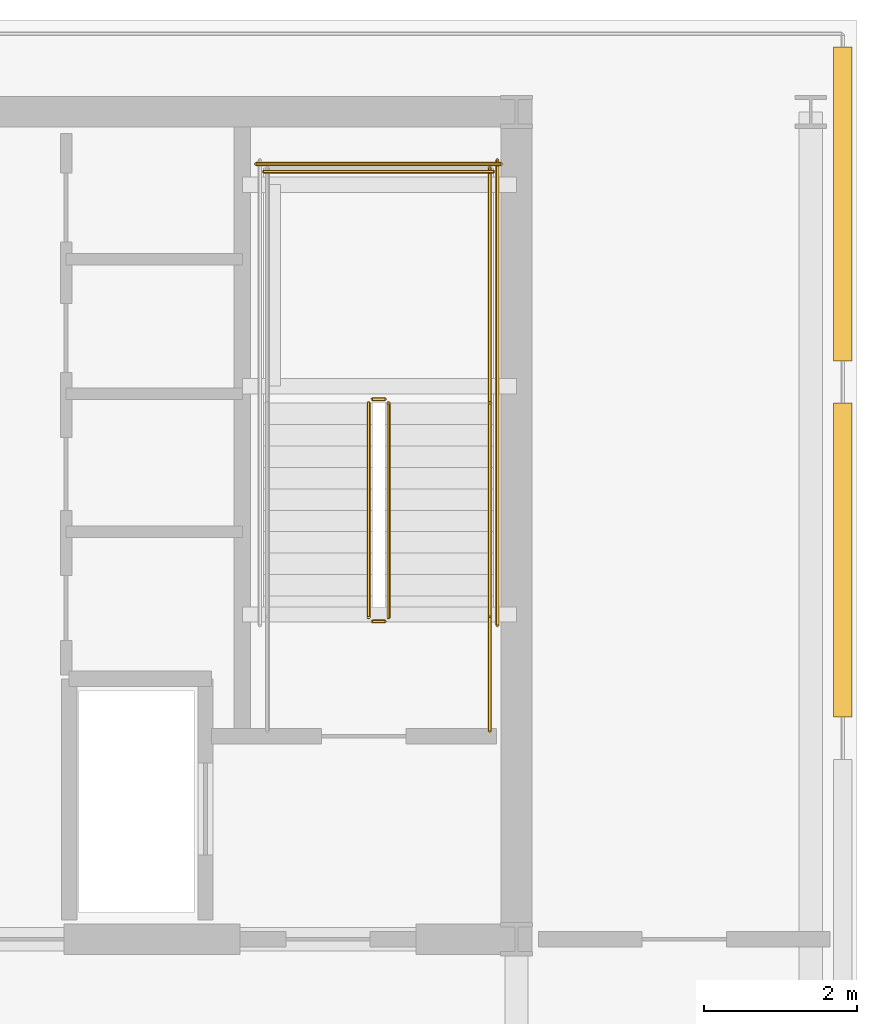
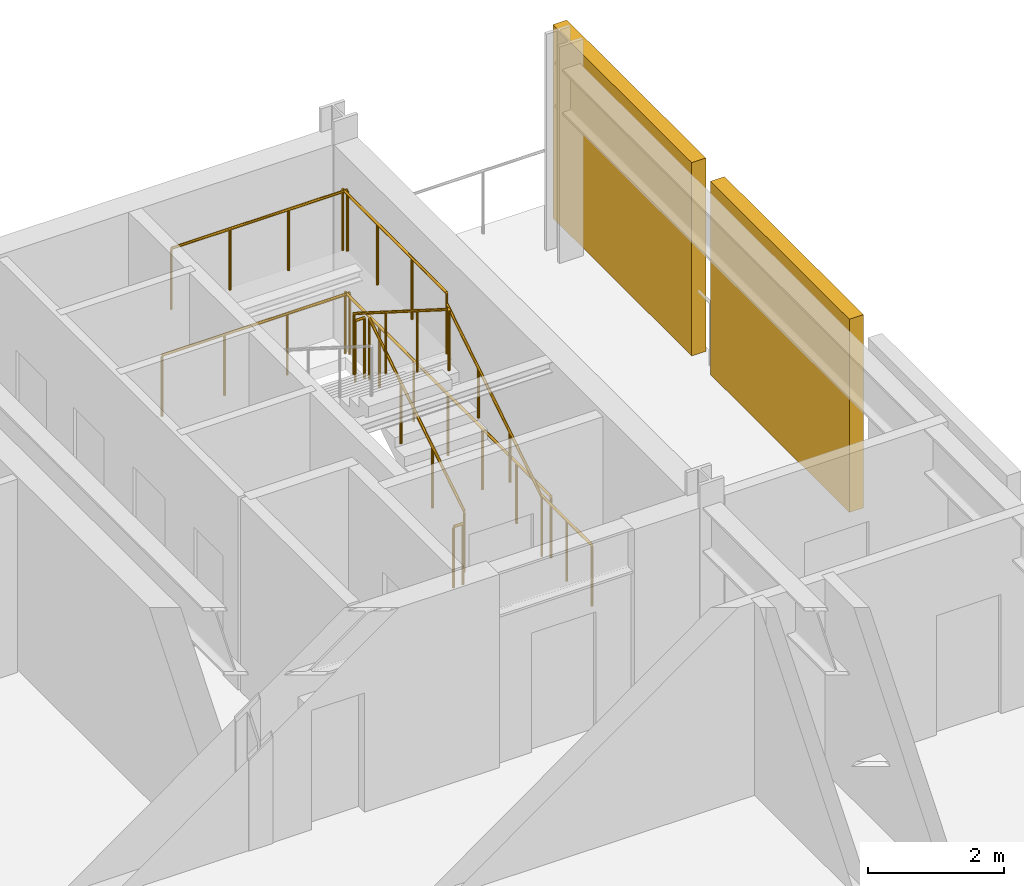
# One storey, part 8 of 8: 10 railings, 2 shading devices.
"""IFC4 building model written with IfcOpenShell, lengths in metres."""

from ifc_helpers import new_model, si_unit, direction, frame, origin, origin_2d, place, context, subcontext, project, spatial, rectangle, circle, extrude, material, layer, layer_set, type_object, element, save


model = new_model("IFC4")

# Units and contexts
model_context = context("Model", 3, precision=1e-05, world=origin(), true_north=direction((0.0, 1.0)))
body_context = subcontext(model_context, "Body", "Model", "MODEL_VIEW")
ifc_project = project(units=[si_unit("LENGTHUNIT", "METRE"), si_unit("AREAUNIT", "SQUARE_METRE"), si_unit("VOLUMEUNIT", "CUBIC_METRE"), si_unit("PLANEANGLEUNIT", "RADIAN"), si_unit("MASSUNIT", "GRAM", prefix="KILO")], contexts=[model_context])

# Site, building, storey
site_placement = place(None, origin())
site = spatial("IfcSite", under=ifc_project, at=site_placement, CompositionType="ELEMENT")
building_placement = place(site_placement, origin())
building = spatial("IfcBuilding", under=site, at=building_placement, Name="Yelkora Congress Tower", CompositionType="ELEMENT")
storey_placement = place(building_placement, frame((0.0, 0.0, 251.300048828125)))
storey = spatial("IfcBuildingStorey", under=building, at=storey_placement, Name="L70", CompositionType="ELEMENT", Elevation=251.300048828125)

# Railings
ifc_material_1 = material(Name="Painted galvanised steel stair well guard with vertical infill", Category="steel")
ifc_layer_1 = layer(ifc_material_1, 0.06005859375)
ifc_layer_set_1 = layer_set([ifc_layer_1], Name="Painted galvanised steel stair well guard with vertical infill")
railing_type_1 = type_object("IfcRailingType", Name="RAIL-STAIR-GUARD-1120", PredefinedType="GUARDRAIL", material=ifc_layer_set_1)
railing_1_placement = place(storey_placement, frame((52.090087890625, 39.60009765625, 0.17724609375)))
element("IfcRailing", 1, at=railing_1_placement, inside=storey, type_object=railing_type_1, Name="ST-02 L70 Stair Well Guardrail 1", PredefinedType="GUARDRAIL", context=body_context, shape_type="SweptSolid", body=[
    extrude(circle(Radius=0.02392578125, at=origin_2d()), frame((0.0, 0.0, 1.09619140625), z_axis=(0.0, 0.844887892834, 0.53494340686), x_axis=(-1.0, 0.0, 0.0)), (0.0, 0.0, 1.0), 3.313720703125),
    extrude(circle(Radius=0.02099609375, at=origin_2d()), origin(), (0.0, 0.0, 1.0), 1.072021484375),
    extrude(circle(Radius=0.02099609375, at=origin_2d()), frame((0.0, 0.933349609375, 0.5908203125)), (0.0, 0.0, 1.0), 1.072021484375),
    extrude(circle(Radius=0.02099609375, at=origin_2d()), frame((0.0, 1.866455078125, 1.181884765625)), (0.0, 0.0, 1.0), 1.072021484375),
    extrude(circle(Radius=0.02099609375, at=origin_2d()), frame((0.0, 2.7998046875, 1.772705078125)), (0.0, 0.0, 1.0), 1.072021484375),
])
railing_2_placement = place(storey_placement, frame((52.0400390625, 42.449951171875, 1.949951171875)))
element("IfcRailing", 2, at=railing_2_placement, inside=storey, type_object=railing_type_1, Name="ST-02 L70 Stair Well Guardrail 2", PredefinedType="GUARDRAIL", context=body_context, shape_type="SweptSolid", body=[
    extrude(circle(Radius=0.02392578125, at=origin_2d()), frame((0.0, 0.0, 1.09619140625), z_axis=(-1.0, 0.0, 0.0), x_axis=(0.0, -1.0, 0.0)), (0.0, 0.0, 1.0), 0.16015625),
    extrude(circle(Radius=0.02099609375, at=origin_2d()), origin(), (0.0, 0.0, 1.0), 1.072021484375),
    extrude(circle(Radius=0.02099609375, at=origin_2d()), frame((-0.16015625, 0.0, 0.0)), (0.0, 0.0, 1.0), 1.072021484375),
])
railing_3_placement = place(storey_placement, frame((53.409912109375, 42.39990234375, 1.949951171875)))
element("IfcRailing", 3, at=railing_3_placement, inside=storey, type_object=railing_type_1, Name="ST-02 L70 Stair Well Guardrail 3", PredefinedType="GUARDRAIL", context=body_context, shape_type="SweptSolid", body=[
    extrude(circle(Radius=0.02392578125, at=origin_2d()), frame((0.0, 0.0, 1.09619140625), z_axis=(0.0, 1.0, 0.0), x_axis=(-1.0, 0.0, 0.0)), (0.0, 0.0, 1.0), 3.070068359375),
    extrude(circle(Radius=0.02099609375, at=origin_2d()), origin(), (0.0, 0.0, 1.0), 1.072021484375),
    extrude(circle(Radius=0.02099609375, at=origin_2d()), frame((0.0, 1.0234375, 0.0)), (0.0, 0.0, 1.0), 1.072021484375),
    extrude(circle(Radius=0.02099609375, at=origin_2d()), frame((0.0, 2.046630859375, 0.0)), (0.0, 0.0, 1.0), 1.072021484375),
    extrude(circle(Radius=0.02099609375, at=origin_2d()), frame((0.0, 3.070068359375, 0.0)), (0.0, 0.0, 1.0), 1.072021484375),
])
railing_4_placement = place(storey_placement, frame((53.4599609375, 45.419921875, 1.949951171875)))
element("IfcRailing", 4, at=railing_4_placement, inside=storey, type_object=railing_type_1, Name="ST-02 L70 Stair Well Guardrail 5", PredefinedType="GUARDRAIL", context=body_context, shape_type="SweptSolid", body=[
    extrude(circle(Radius=0.02392578125, at=origin_2d()), frame((0.0, 0.0, 1.09619140625), z_axis=(-1.0, 0.0, 0.0), x_axis=(0.0, -1.0, 0.0)), (0.0, 0.0, 1.0), 3.0),
    extrude(circle(Radius=0.02099609375, at=origin_2d()), origin(), (0.0, 0.0, 1.0), 1.072021484375),
    extrude(circle(Radius=0.02099609375, at=origin_2d()), frame((-1.0, 0.0, 0.0)), (0.0, 0.0, 1.0), 1.072021484375),
    extrude(circle(Radius=0.02099609375, at=origin_2d()), frame((-2.0, 0.0, 0.0)), (0.0, 0.0, 1.0), 1.072021484375),
    extrude(circle(Radius=0.02099609375, at=origin_2d()), frame((-3.0, 0.0, 0.0)), (0.0, 0.0, 1.0), 1.072021484375),
])
railing_5_placement = place(storey_placement, frame((51.830078125, 42.39990234375, 2.127197265625)))
element("IfcRailing", 5, at=railing_5_placement, inside=storey, type_object=railing_type_1, Name="ST-02 L70 Stair Well Guardrail 6", PredefinedType="GUARDRAIL", context=body_context, shape_type="SweptSolid", body=[
    extrude(circle(Radius=0.02392578125, at=origin_2d()), frame((0.0, 0.0, 1.09619140625), z_axis=(0.0, -0.844887892834, 0.53494340686), x_axis=(1.0, 0.0, 0.0)), (0.0, 0.0, 1.0), 3.313720703125),
    extrude(circle(Radius=0.02099609375, at=origin_2d()), origin(), (0.0, 0.0, 1.0), 1.072021484375),
    extrude(circle(Radius=0.02099609375, at=origin_2d()), frame((0.0, -0.933349609375, 0.5908203125)), (0.0, 0.0, 1.0), 1.072021484375),
    extrude(circle(Radius=0.02099609375, at=origin_2d()), frame((0.0, -1.866455078125, 1.181884765625)), (0.0, 0.0, 1.0), 1.072021484375),
    extrude(circle(Radius=0.02099609375, at=origin_2d()), frame((0.0, -2.7998046875, 1.772705078125)), (0.0, 0.0, 1.0), 1.072021484375),
])
railing_6_placement = place(storey_placement, frame((52.0400390625, 39.550048828125, 0.0)))
element("IfcRailing", 6, at=railing_6_placement, inside=storey, type_object=railing_type_1, Name="ST-02 L70 Stair Well Guardrail 7", PredefinedType="GUARDRAIL", context=body_context, shape_type="SweptSolid", body=[
    extrude(circle(Radius=0.02392578125, at=origin_2d()), frame((0.0, 0.0, 1.09619140625), z_axis=(-1.0, 0.0, 0.0), x_axis=(0.0, -1.0, 0.0)), (0.0, 0.0, 1.0), 0.16015625),
    extrude(circle(Radius=0.02099609375, at=origin_2d()), origin(), (0.0, 0.0, 1.0), 1.072021484375),
    extrude(circle(Radius=0.02099609375, at=origin_2d()), frame((-0.16015625, 0.0, 0.0)), (0.0, 0.0, 1.0), 1.072021484375),
])
railing_7_placement = place(storey_placement, frame((53.409912109375, 38.1201171875, 0.0)))
element("IfcRailing", 7, at=railing_7_placement, inside=storey, type_object=railing_type_1, Name="ST-02 L70 Stair Well Guardrail 8", PredefinedType="GUARDRAIL", context=body_context, shape_type="SweptSolid", body=[
    extrude(circle(Radius=0.02392578125, at=origin_2d()), frame((0.0, 0.0, 1.09619140625), z_axis=(0.0, 1.0, 0.0), x_axis=(-1.0, 0.0, 0.0)), (0.0, 0.0, 1.0), 1.47998046875),
    extrude(circle(Radius=0.02099609375, at=origin_2d()), origin(), (0.0, 0.0, 1.0), 1.072021484375),
    extrude(circle(Radius=0.02099609375, at=origin_2d()), frame((0.0, 0.739990234375, 0.0)), (0.0, 0.0, 1.0), 1.072021484375),
    extrude(circle(Radius=0.02099609375, at=origin_2d()), frame((0.0, 1.47998046875, 0.0)), (0.0, 0.0, 1.0), 1.072021484375),
])
railing_8_placement = place(storey_placement, frame((53.510009765625, 39.5, 0.0)))
element("IfcRailing", 8, at=railing_8_placement, inside=storey, type_object=railing_type_1, Name="ST-02 L70 Stair Well Guardrail 10", PredefinedType="GUARDRAIL", context=body_context, shape_type="SweptSolid", body=[
    extrude(circle(Radius=0.02392578125, at=origin_2d()), frame((0.0, 0.0, 1.09619140625), z_axis=(0.0, 1.0, 0.0), x_axis=(-1.0, 0.0, 0.0)), (0.0, 0.0, 1.0), 6.070068359375),
    extrude(circle(Radius=0.02099609375, at=origin_2d()), origin(), (0.0, 0.0, 1.0), 1.072021484375),
    extrude(circle(Radius=0.02099609375, at=origin_2d()), frame((0.0, 1.01171875, 0.0)), (0.0, 0.0, 1.0), 1.072021484375),
    extrude(circle(Radius=0.02099609375, at=origin_2d()), frame((0.0, 2.0234375, 0.0)), (0.0, 0.0, 1.0), 1.072021484375),
    extrude(circle(Radius=0.02099609375, at=origin_2d()), frame((0.0, 3.03515625, 0.0)), (0.0, 0.0, 1.0), 1.072021484375),
    extrude(circle(Radius=0.02099609375, at=origin_2d()), frame((0.0, 4.046630859375, 0.0)), (0.0, 0.0, 1.0), 1.072021484375),
    extrude(circle(Radius=0.02099609375, at=origin_2d()), frame((0.0, 5.058349609375, 0.0)), (0.0, 0.0, 1.0), 1.072021484375),
    extrude(circle(Radius=0.02099609375, at=origin_2d()), frame((0.0, 6.070068359375, 0.0)), (0.0, 0.0, 1.0), 1.072021484375),
])
railing_9_placement = place(storey_placement, frame((53.56005859375, 45.52001953125, 0.0)))
element("IfcRailing", 9, at=railing_9_placement, inside=storey, type_object=railing_type_1, Name="ST-02 L70 Stair Well Guardrail 12", PredefinedType="GUARDRAIL", context=body_context, shape_type="SweptSolid", body=[
    extrude(circle(Radius=0.02392578125, at=origin_2d()), frame((0.0, 0.0, 1.09619140625), z_axis=(-1.0, 0.0, 0.0), x_axis=(0.0, -1.0, 0.0)), (0.0, 0.0, 1.0), 3.199951171875),
    extrude(circle(Radius=0.02099609375, at=origin_2d()), origin(), (0.0, 0.0, 1.0), 1.072021484375),
    extrude(circle(Radius=0.02099609375, at=origin_2d()), frame((-1.066650390625, 0.0, 0.0)), (0.0, 0.0, 1.0), 1.072021484375),
    extrude(circle(Radius=0.02099609375, at=origin_2d()), frame((-2.13330078125, 0.0, 0.0)), (0.0, 0.0, 1.0), 1.072021484375),
    extrude(circle(Radius=0.02099609375, at=origin_2d()), frame((-3.199951171875, 0.0, 0.0)), (0.0, 0.0, 1.0), 1.072021484375),
])
ifc_material_2 = material(Name="Brushed stainless steel tubular handrail", Category="steel")
ifc_layer_2 = layer(ifc_material_2, 0.050048828125)
ifc_layer_set_2 = layer_set([ifc_layer_2], Name="Brushed stainless steel tubular handrail")
railing_type_2 = type_object("IfcRailingType", Name="RAIL-STAIR-HAND-920", PredefinedType="HANDRAIL", material=ifc_layer_set_2)
railing_10_placement = place(storey_placement, frame((53.409912109375, 39.60009765625, 0.17724609375)))
element("IfcRailing", 10, at=railing_10_placement, inside=storey, type_object=railing_type_2, Name="ST-02 L70 Pitch Handrail 1", PredefinedType="HANDRAIL", context=body_context, shape_type="SweptSolid", body=[
    extrude(circle(Radius=0.02392578125, at=origin_2d()), frame((0.0, 0.0, 0.89599609375), z_axis=(0.0, 0.844887892834, 0.53494340686), x_axis=(-1.0, 0.0, 0.0)), (0.0, 0.0, 1.0), 3.313720703125),
    extrude(circle(Radius=0.02099609375, at=origin_2d()), origin(), (0.0, 0.0, 1.0), 0.871826171875),
    extrude(circle(Radius=0.02099609375, at=origin_2d()), frame((0.0, 0.933349609375, 0.5908203125)), (0.0, 0.0, 1.0), 0.871826171875),
    extrude(circle(Radius=0.02099609375, at=origin_2d()), frame((0.0, 1.866455078125, 1.181884765625)), (0.0, 0.0, 1.0), 0.871826171875),
    extrude(circle(Radius=0.02099609375, at=origin_2d()), frame((0.0, 2.7998046875, 1.772705078125)), (0.0, 0.0, 1.0), 0.871826171875),
])

# Shading devices
ifc_material_3 = material(Name="Perforated anodised aluminium louvre", Category="aluminium")
ifc_layer_3 = layer(ifc_material_3, 3.39990234375)
ifc_layer_set_3 = layer_set([ifc_layer_3], Name="Perforated anodised aluminium louvre")
shading_device_type = type_object("IfcShadingDeviceType", Name="SHD-LOUVRE-WIND", PredefinedType="JALOUSIE", material=ifc_layer_set_3)
for number, where, z_axis, x_axis, name in (
    (11, (58.02001953125, 40.35009765625, 0.0), (0.0, 0.0, 1.0), (1.0, 0.0, 0.0), "L70 Acoustic Wind-Floor Louvre Screen E4"),
    (12, (58.02001953125, 45.0, 0.0), (0.0, 0.0, 1.0), (1.0, 0.0, 0.0), "L70 Acoustic Wind-Floor Louvre Screen E5"),
):
    element("IfcShadingDevice", number, at=place(storey_placement, frame(where, z_axis=z_axis, x_axis=x_axis)), inside=storey, type_object=shading_device_type, Name=name, PredefinedType="JALOUSIE", context=body_context, shape_type="SweptSolid", body=[
        extrude(rectangle(XDim=0.239990234375, YDim=4.10009765625, at=origin_2d()), origin(), (0.0, 0.0, 1.0), 3.47998046875),
    ])

save(model, "model.ifc")
